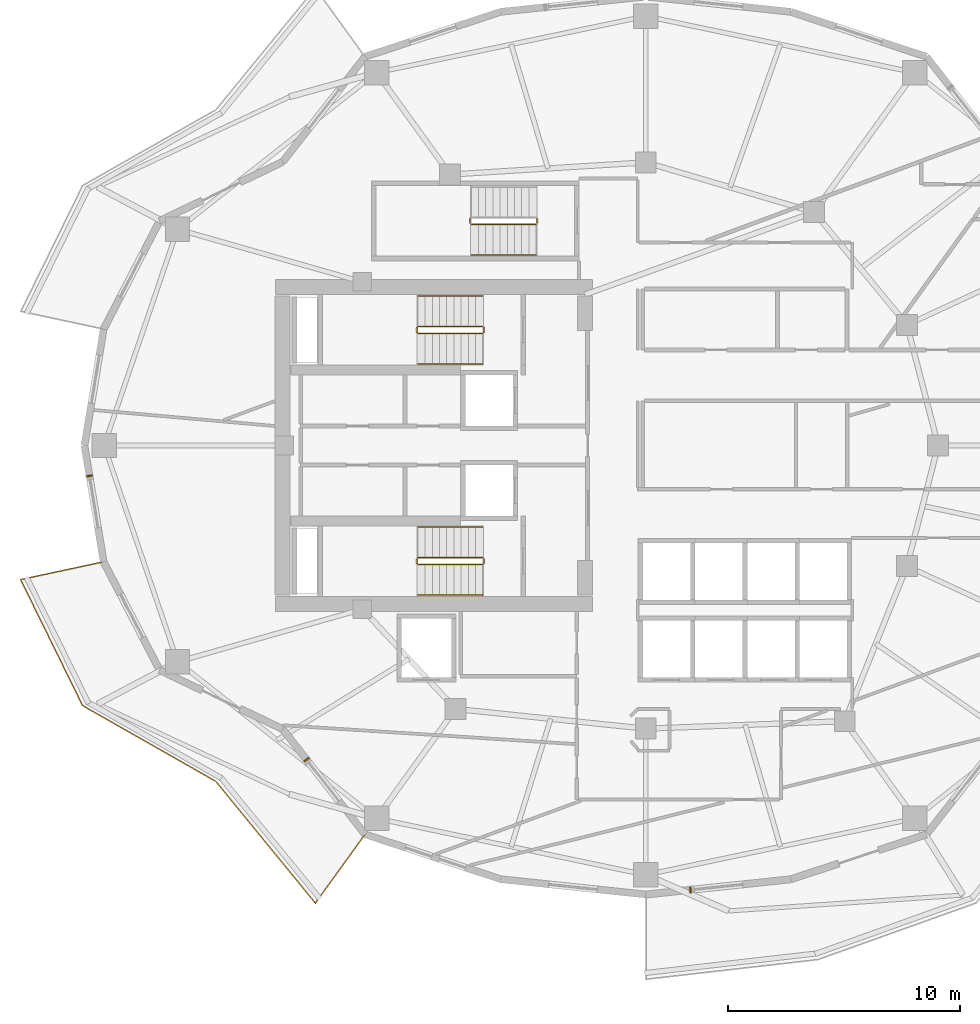
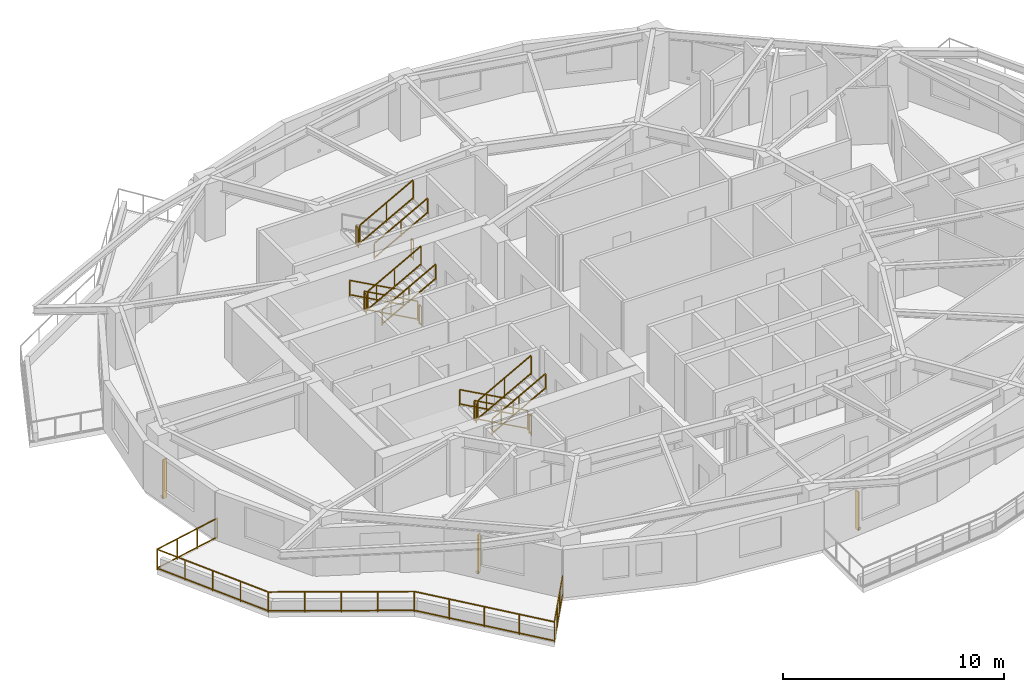
# One storey, part 11 of 14: 17 railings, 3 shading devices.
"""IFC4 building model written with IfcOpenShell, lengths in metres."""

from ifc_helpers import new_model, si_unit, direction, frame, origin, origin_2d, place, context, subcontext, project, spatial, rectangle, extrude, material, type_object, element, save


model = new_model("IFC4")

# Units and contexts
model_context = context("Model", 3, precision=1e-05, world=origin(), true_north=direction((0.0, 1.0)))
body_context = subcontext(model_context, "Body", "Model", "MODEL_VIEW")
ifc_project = project(units=[si_unit("LENGTHUNIT", "METRE"), si_unit("AREAUNIT", "SQUARE_METRE"), si_unit("VOLUMEUNIT", "CUBIC_METRE"), si_unit("PLANEANGLEUNIT", "RADIAN"), si_unit("MASSUNIT", "GRAM", prefix="KILO")], contexts=[model_context])

# Site, building, storey
site_placement = place(None, origin())
site = spatial("IfcSite", under=ifc_project, at=site_placement, CompositionType="ELEMENT")
building_placement = place(site_placement, origin())
building = spatial("IfcBuilding", under=site, at=building_placement, Name="Kolvaren Gate Tower and Convention Centre", CompositionType="ELEMENT")
storey_placement = place(building_placement, frame((0.0, 0.0, 132.5)))
storey = spatial("IfcBuildingStorey", under=building, at=storey_placement, Name="L33", CompositionType="ELEMENT", Elevation=132.5)

# Railings
ifc_material_1 = material(Name="Brushed Stainless Steel Grade 316L", Category="steel")
railing_type_1 = type_object("IfcRailingType", Name="ARCH-RL-GUARD-1150", PredefinedType="GUARDRAIL", material=ifc_material_1)
railing_1_placement = place(storey_placement, frame((23.10009765625, 32.1298828125, 0.169921875)))
element("IfcRailing", 1, at=railing_1_placement, inside=storey, type_object=railing_type_1, Name="L33 ST-T1 stair guard 1", PredefinedType="GUARDRAIL", context=body_context, shape_type="SweptSolid", body=[
    extrude(rectangle(XDim=0.048095703125, YDim=0.048095703125, at=origin_2d()), frame((0.0, 0.0, 1.076171875), z_axis=(-0.876811365212, 0.0, 0.480834513982), x_axis=(0.0, -1.0, 0.0)), (0.0, 0.0, 1.0), 3.18212890625),
    extrude(rectangle(XDim=0.048095703125, YDim=0.048095703125, at=origin_2d()), frame((0.0, 0.0, 0.083984375), z_axis=(-0.876811365212, 0.0, 0.480834513982), x_axis=(0.0, -1.0, 0.0)), (0.0, 0.0, 1.0), 3.18212890625),
    extrude(rectangle(XDim=0.0419921875, YDim=0.0419921875, at=origin_2d()), origin(), (0.0, 0.0, 1.0), 1.050048828125),
    extrude(rectangle(XDim=0.0419921875, YDim=0.0419921875, at=origin_2d()), frame((-2.7900390625, 0.0, 1.530029296875)), (0.0, 0.0, 1.0), 1.050048828125),
    extrude(rectangle(XDim=0.0419921875, YDim=0.0419921875, at=origin_2d()), frame((-1.39501953125, 0.0, 0.76513671875)), (0.0, 0.0, 1.0), 1.050048828125),
])
railing_2_placement = place(storey_placement, frame((20.260009765625, 32.080078125, 1.699951171875)))
element("IfcRailing", 2, at=railing_2_placement, inside=storey, type_object=railing_type_1, Name="L33 ST-T1 stair guard 2", PredefinedType="GUARDRAIL", context=body_context, shape_type="SweptSolid", body=[
    extrude(rectangle(XDim=0.048095703125, YDim=0.048095703125, at=origin_2d()), frame((0.0, 0.0, 1.076171875), z_axis=(0.0, -1.0, 0.0), x_axis=(1.0, 0.0, 0.0)), (0.0, 0.0, 1.0), 0.2001953125),
    extrude(rectangle(XDim=0.048095703125, YDim=0.048095703125, at=origin_2d()), frame((0.0, 0.0, 0.083984375), z_axis=(0.0, -1.0, 0.0), x_axis=(1.0, 0.0, 0.0)), (0.0, 0.0, 1.0), 0.2001953125),
    extrude(rectangle(XDim=0.0419921875, YDim=0.0419921875, at=origin_2d()), origin(), (0.0, 0.0, 1.0), 1.050048828125),
    extrude(rectangle(XDim=0.0419921875, YDim=0.0419921875, at=origin_2d()), frame((0.0, -0.2001953125, 0.0)), (0.0, 0.0, 1.0), 1.050048828125),
])
railing_3_placement = place(storey_placement, frame((20.31005859375, 31.830078125, 1.8701171875)))
element("IfcRailing", 3, at=railing_3_placement, inside=storey, type_object=railing_type_1, Name="L33 ST-T1 stair guard 3", PredefinedType="GUARDRAIL", context=body_context, shape_type="SweptSolid", body=[
    extrude(rectangle(XDim=0.048095703125, YDim=0.048095703125, at=origin_2d()), frame((0.0, 0.0, 1.076171875), z_axis=(0.876843711699, 0.0, 0.480775524808), x_axis=(0.0, 1.0, 0.0)), (0.0, 0.0, 1.0), 3.181884765625),
    extrude(rectangle(XDim=0.048095703125, YDim=0.048095703125, at=origin_2d()), frame((0.0, 0.0, 0.083984375), z_axis=(0.876843711699, 0.0, 0.480775524808), x_axis=(0.0, 1.0, 0.0)), (0.0, 0.0, 1.0), 3.181884765625),
    extrude(rectangle(XDim=0.0419921875, YDim=0.0419921875, at=origin_2d()), origin(), (0.0, 0.0, 1.0), 1.050048828125),
    extrude(rectangle(XDim=0.0419921875, YDim=0.0419921875, at=origin_2d()), frame((2.7900390625, 0.0, 1.52978515625)), (0.0, 0.0, 1.0), 1.050048828125),
    extrude(rectangle(XDim=0.0419921875, YDim=0.0419921875, at=origin_2d()), frame((1.39501953125, 0.0, 0.764892578125)), (0.0, 0.0, 1.0), 1.050048828125),
])
railing_4_placement = place(storey_placement, frame((23.14990234375, 32.080078125, 0.0)))
element("IfcRailing", 4, at=railing_4_placement, inside=storey, type_object=railing_type_1, Name="L33 ST-T1 stair guard 4", PredefinedType="GUARDRAIL", context=body_context, shape_type="SweptSolid", body=[
    extrude(rectangle(XDim=0.048095703125, YDim=0.048095703125, at=origin_2d()), frame((0.0, 0.0, 1.076171875), z_axis=(0.0, -1.0, 0.0), x_axis=(1.0, 0.0, 0.0)), (0.0, 0.0, 1.0), 0.2001953125),
    extrude(rectangle(XDim=0.048095703125, YDim=0.048095703125, at=origin_2d()), frame((0.0, 0.0, 0.083984375), z_axis=(0.0, -1.0, 0.0), x_axis=(1.0, 0.0, 0.0)), (0.0, 0.0, 1.0), 0.2001953125),
    extrude(rectangle(XDim=0.0419921875, YDim=0.0419921875, at=origin_2d()), origin(), (0.0, 0.0, 1.0), 1.050048828125),
    extrude(rectangle(XDim=0.0419921875, YDim=0.0419921875, at=origin_2d()), frame((0.0, -0.2001953125, 0.0)), (0.0, 0.0, 1.0), 1.050048828125),
])
railing_5_placement = place(storey_placement, frame((23.10009765625, 22.169921875, 0.169921875)))
element("IfcRailing", 5, at=railing_5_placement, inside=storey, type_object=railing_type_1, Name="L33 ST-T2 stair guard 1", PredefinedType="GUARDRAIL", context=body_context, shape_type="SweptSolid", body=[
    extrude(rectangle(XDim=0.048095703125, YDim=0.048095703125, at=origin_2d()), frame((0.0, 0.0, 1.076171875), z_axis=(-0.876811365212, 0.0, 0.480834513982), x_axis=(0.0, -1.0, 0.0)), (0.0, 0.0, 1.0), 3.18212890625),
    extrude(rectangle(XDim=0.048095703125, YDim=0.048095703125, at=origin_2d()), frame((0.0, 0.0, 0.083984375), z_axis=(-0.876811365212, 0.0, 0.480834513982), x_axis=(0.0, -1.0, 0.0)), (0.0, 0.0, 1.0), 3.18212890625),
    extrude(rectangle(XDim=0.0419921875, YDim=0.0419921875, at=origin_2d()), origin(), (0.0, 0.0, 1.0), 1.050048828125),
    extrude(rectangle(XDim=0.0419921875, YDim=0.0419921875, at=origin_2d()), frame((-2.7900390625, 0.0, 1.530029296875)), (0.0, 0.0, 1.0), 1.050048828125),
    extrude(rectangle(XDim=0.0419921875, YDim=0.0419921875, at=origin_2d()), frame((-1.39501953125, 0.0, 0.76513671875)), (0.0, 0.0, 1.0), 1.050048828125),
])
railing_6_placement = place(storey_placement, frame((20.260009765625, 22.1201171875, 1.699951171875)))
element("IfcRailing", 6, at=railing_6_placement, inside=storey, type_object=railing_type_1, Name="L33 ST-T2 stair guard 2", PredefinedType="GUARDRAIL", context=body_context, shape_type="SweptSolid", body=[
    extrude(rectangle(XDim=0.048095703125, YDim=0.048095703125, at=origin_2d()), frame((0.0, 0.0, 1.076171875), z_axis=(0.0, -1.0, 0.0), x_axis=(1.0, 0.0, 0.0)), (0.0, 0.0, 1.0), 0.2001953125),
    extrude(rectangle(XDim=0.048095703125, YDim=0.048095703125, at=origin_2d()), frame((0.0, 0.0, 0.083984375), z_axis=(0.0, -1.0, 0.0), x_axis=(1.0, 0.0, 0.0)), (0.0, 0.0, 1.0), 0.2001953125),
    extrude(rectangle(XDim=0.0419921875, YDim=0.0419921875, at=origin_2d()), origin(), (0.0, 0.0, 1.0), 1.050048828125),
    extrude(rectangle(XDim=0.0419921875, YDim=0.0419921875, at=origin_2d()), frame((0.0, -0.2001953125, 0.0)), (0.0, 0.0, 1.0), 1.050048828125),
])
railing_7_placement = place(storey_placement, frame((20.31005859375, 21.8701171875, 1.8701171875)))
element("IfcRailing", 7, at=railing_7_placement, inside=storey, type_object=railing_type_1, Name="L33 ST-T2 stair guard 3", PredefinedType="GUARDRAIL", context=body_context, shape_type="SweptSolid", body=[
    extrude(rectangle(XDim=0.048095703125, YDim=0.048095703125, at=origin_2d()), frame((0.0, 0.0, 1.076171875), z_axis=(0.876843711699, 0.0, 0.480775524808), x_axis=(0.0, 1.0, 0.0)), (0.0, 0.0, 1.0), 3.181884765625),
    extrude(rectangle(XDim=0.048095703125, YDim=0.048095703125, at=origin_2d()), frame((0.0, 0.0, 0.083984375), z_axis=(0.876843711699, 0.0, 0.480775524808), x_axis=(0.0, 1.0, 0.0)), (0.0, 0.0, 1.0), 3.181884765625),
    extrude(rectangle(XDim=0.0419921875, YDim=0.0419921875, at=origin_2d()), origin(), (0.0, 0.0, 1.0), 1.050048828125),
    extrude(rectangle(XDim=0.0419921875, YDim=0.0419921875, at=origin_2d()), frame((2.7900390625, 0.0, 1.52978515625)), (0.0, 0.0, 1.0), 1.050048828125),
    extrude(rectangle(XDim=0.0419921875, YDim=0.0419921875, at=origin_2d()), frame((1.39501953125, 0.0, 0.764892578125)), (0.0, 0.0, 1.0), 1.050048828125),
])
railing_8_placement = place(storey_placement, frame((23.14990234375, 22.1201171875, 0.0)))
element("IfcRailing", 8, at=railing_8_placement, inside=storey, type_object=railing_type_1, Name="L33 ST-T2 stair guard 4", PredefinedType="GUARDRAIL", context=body_context, shape_type="SweptSolid", body=[
    extrude(rectangle(XDim=0.048095703125, YDim=0.048095703125, at=origin_2d()), frame((0.0, 0.0, 1.076171875), z_axis=(0.0, -1.0, 0.0), x_axis=(1.0, 0.0, 0.0)), (0.0, 0.0, 1.0), 0.2001953125),
    extrude(rectangle(XDim=0.048095703125, YDim=0.048095703125, at=origin_2d()), frame((0.0, 0.0, 0.083984375), z_axis=(0.0, -1.0, 0.0), x_axis=(1.0, 0.0, 0.0)), (0.0, 0.0, 1.0), 0.2001953125),
    extrude(rectangle(XDim=0.0419921875, YDim=0.0419921875, at=origin_2d()), origin(), (0.0, 0.0, 1.0), 1.050048828125),
    extrude(rectangle(XDim=0.0419921875, YDim=0.0419921875, at=origin_2d()), frame((0.0, -0.2001953125, 0.0)), (0.0, 0.0, 1.0), 1.050048828125),
])
railing_9_placement = place(storey_placement, frame((22.56005859375, 36.780029296875, 1.699951171875)))
element("IfcRailing", 9, at=railing_9_placement, inside=storey, type_object=railing_type_1, Name="L33 ST-T3 stair guard 2", PredefinedType="GUARDRAIL", context=body_context, shape_type="SweptSolid", body=[
    extrude(rectangle(XDim=0.048095703125, YDim=0.048095703125, at=origin_2d()), frame((0.0, 0.0, 1.076171875), z_axis=(0.0, -1.0, 0.0), x_axis=(1.0, 0.0, 0.0)), (0.0, 0.0, 1.0), 0.199951171875),
    extrude(rectangle(XDim=0.048095703125, YDim=0.048095703125, at=origin_2d()), frame((0.0, 0.0, 0.083984375), z_axis=(0.0, -1.0, 0.0), x_axis=(1.0, 0.0, 0.0)), (0.0, 0.0, 1.0), 0.199951171875),
    extrude(rectangle(XDim=0.0419921875, YDim=0.0419921875, at=origin_2d()), origin(), (0.0, 0.0, 1.0), 1.050048828125),
    extrude(rectangle(XDim=0.0419921875, YDim=0.0419921875, at=origin_2d()), frame((0.0, -0.199951171875, 0.0)), (0.0, 0.0, 1.0), 1.050048828125),
])
railing_10_placement = place(storey_placement, frame((22.610107421875, 36.530029296875, 1.8701171875)))
element("IfcRailing", 10, at=railing_10_placement, inside=storey, type_object=railing_type_1, Name="L33 ST-T3 stair guard 3", PredefinedType="GUARDRAIL", context=body_context, shape_type="SweptSolid", body=[
    extrude(rectangle(XDim=0.048095703125, YDim=0.048095703125, at=origin_2d()), frame((0.0, 0.0, 1.076171875), z_axis=(0.876825974686, 0.0, 0.480807872353), x_axis=(0.0, 1.0, 0.0)), (0.0, 0.0, 1.0), 3.181640625),
    extrude(rectangle(XDim=0.048095703125, YDim=0.048095703125, at=origin_2d()), frame((0.0, 0.0, 0.083984375), z_axis=(0.876825974686, 0.0, 0.480807872353), x_axis=(0.0, 1.0, 0.0)), (0.0, 0.0, 1.0), 3.181640625),
    extrude(rectangle(XDim=0.0419921875, YDim=0.0419921875, at=origin_2d()), origin(), (0.0, 0.0, 1.0), 1.050048828125),
    extrude(rectangle(XDim=0.0419921875, YDim=0.0419921875, at=origin_2d()), frame((2.789794921875, 0.0, 1.52978515625)), (0.0, 0.0, 1.0), 1.050048828125),
    extrude(rectangle(XDim=0.0419921875, YDim=0.0419921875, at=origin_2d()), frame((1.39501953125, 0.0, 0.764892578125)), (0.0, 0.0, 1.0), 1.050048828125),
])
railing_11_placement = place(storey_placement, frame((25.449951171875, 36.780029296875, 0.0)))
element("IfcRailing", 11, at=railing_11_placement, inside=storey, type_object=railing_type_1, Name="L33 ST-T3 stair guard 4", PredefinedType="GUARDRAIL", context=body_context, shape_type="SweptSolid", body=[
    extrude(rectangle(XDim=0.048095703125, YDim=0.048095703125, at=origin_2d()), frame((0.0, 0.0, 1.076171875), z_axis=(0.0, -1.0, 0.0), x_axis=(1.0, 0.0, 0.0)), (0.0, 0.0, 1.0), 0.199951171875),
    extrude(rectangle(XDim=0.048095703125, YDim=0.048095703125, at=origin_2d()), frame((0.0, 0.0, 0.083984375), z_axis=(0.0, -1.0, 0.0), x_axis=(1.0, 0.0, 0.0)), (0.0, 0.0, 1.0), 0.199951171875),
    extrude(rectangle(XDim=0.0419921875, YDim=0.0419921875, at=origin_2d()), origin(), (0.0, 0.0, 1.0), 1.050048828125),
    extrude(rectangle(XDim=0.0419921875, YDim=0.0419921875, at=origin_2d()), frame((0.0, -0.199951171875, 0.0)), (0.0, 0.0, 1.0), 1.050048828125),
])
railing_12_placement = place(storey_placement, frame((6.76171875, 21.991943359375, 0.0)))
element("IfcRailing", 12, at=railing_12_placement, inside=storey, type_object=railing_type_1, Name="Tower L33 Terrace Perimeter Guardrail GR-2", PredefinedType="GUARDRAIL", context=body_context, shape_type="SweptSolid", body=[
    extrude(rectangle(XDim=0.048095703125, YDim=0.048095703125, at=origin_2d()), frame((-0.02734375, -0.005859375, 1.1259765625), z_axis=(-0.977788745232, -0.209592866525, 0.0), x_axis=(0.209592866525, -0.977788745232, 0.0)), (0.0, 0.0, 1.0), 3.603759765625),
    extrude(rectangle(XDim=0.048095703125, YDim=0.048095703125, at=origin_2d()), frame((-0.02734375, -0.005859375, 0.083984375), z_axis=(-0.977788745232, -0.209592866525, 0.0), x_axis=(0.209592866525, -0.977788745232, 0.0)), (0.0, 0.0, 1.0), 3.603759765625),
    extrude(rectangle(XDim=0.048095703125, YDim=0.048095703125, at=origin_2d()), frame((-3.566162109375, -0.792236328125, 1.1259765625), z_axis=(0.441237167293, -0.897390529368, 0.0), x_axis=(0.897390529368, 0.441237167293, 0.0)), (0.0, 0.0, 1.0), 5.999755859375),
    extrude(rectangle(XDim=0.048095703125, YDim=0.048095703125, at=origin_2d()), frame((-3.566162109375, -0.792236328125, 0.083984375), z_axis=(0.441237167293, -0.897390529368, 0.0), x_axis=(0.897390529368, 0.441237167293, 0.0)), (0.0, 0.0, 1.0), 5.999755859375),
    extrude(rectangle(XDim=0.048095703125, YDim=0.048095703125, at=origin_2d()), frame((-0.882080078125, -6.215576171875, 1.1259765625), z_axis=(0.869196694318, -0.494466486819, 0.0), x_axis=(0.494466486819, 0.869196694318, 0.0)), (0.0, 0.0, 1.0), 6.55029296875),
    extrude(rectangle(XDim=0.048095703125, YDim=0.048095703125, at=origin_2d()), frame((-0.882080078125, -6.215576171875, 0.083984375), z_axis=(0.869196694318, -0.494466486819, 0.0), x_axis=(0.494466486819, 0.869196694318, 0.0)), (0.0, 0.0, 1.0), 6.55029296875),
    extrude(rectangle(XDim=0.048095703125, YDim=0.048095703125, at=origin_2d()), frame((4.853515625, -9.489990234375, 1.1259765625), z_axis=(0.633002467947, -0.77414977593, 0.0), x_axis=(0.77414977593, 0.633002467947, 0.0)), (0.0, 0.0, 1.0), 6.724365234375),
    extrude(rectangle(XDim=0.048095703125, YDim=0.048095703125, at=origin_2d()), frame((4.853515625, -9.489990234375, 0.083984375), z_axis=(0.633002467947, -0.77414977593, 0.0), x_axis=(0.77414977593, 0.633002467947, 0.0)), (0.0, 0.0, 1.0), 6.724365234375),
    extrude(rectangle(XDim=0.048095703125, YDim=0.048095703125, at=origin_2d()), frame((9.14404296875, -14.694580078125, 1.1259765625), z_axis=(0.585212870465, 0.810879705161, 0.0), x_axis=(-0.810879705161, 0.585212870465, 0.0)), (0.0, 0.0, 1.0), 3.603759765625),
    extrude(rectangle(XDim=0.048095703125, YDim=0.048095703125, at=origin_2d()), frame((9.14404296875, -14.694580078125, 0.083984375), z_axis=(0.585212870465, 0.810879705161, 0.0), x_axis=(-0.810879705161, 0.585212870465, 0.0)), (0.0, 0.0, 1.0), 3.603759765625),
    extrude(rectangle(XDim=0.0419921875, YDim=0.0419921875, at=origin_2d()), origin(), (0.0, 0.0, 1.0), 1.14990234375),
    extrude(rectangle(XDim=0.0419921875, YDim=0.0419921875, at=origin_2d()), frame((-3.57861328125, -0.76708984375, 0.0)), (0.0, 0.0, 1.0), 1.14990234375),
    extrude(rectangle(XDim=0.0419921875, YDim=0.0419921875, at=origin_2d()), frame((-1.19287109375, -0.255615234375, 0.0)), (0.0, 0.0, 1.0), 1.099853515625),
    extrude(rectangle(XDim=0.0419921875, YDim=0.0419921875, at=origin_2d()), frame((-2.3857421875, -0.511474609375, 0.0)), (0.0, 0.0, 1.0), 1.099853515625),
    extrude(rectangle(XDim=0.0419921875, YDim=0.0419921875, at=origin_2d()), frame((-0.906494140625, -6.20166015625, 0.0)), (0.0, 0.0, 1.0), 1.14990234375),
    extrude(rectangle(XDim=0.0419921875, YDim=0.0419921875, at=origin_2d()), frame((-2.91064453125, -2.125732421875, 0.0)), (0.0, 0.0, 1.0), 1.099853515625),
    extrude(rectangle(XDim=0.0419921875, YDim=0.0419921875, at=origin_2d()), frame((-2.24267578125, -3.484375, 0.0)), (0.0, 0.0, 1.0), 1.099853515625),
    extrude(rectangle(XDim=0.0419921875, YDim=0.0419921875, at=origin_2d()), frame((-1.574462890625, -4.843017578125, 0.0)), (0.0, 0.0, 1.0), 1.099853515625),
    extrude(rectangle(XDim=0.0419921875, YDim=0.0419921875, at=origin_2d()), frame((4.835693359375, -9.46826171875, 0.0)), (0.0, 0.0, 1.0), 1.14990234375),
    extrude(rectangle(XDim=0.0419921875, YDim=0.0419921875, at=origin_2d()), frame((0.529052734375, -7.018310546875, 0.0)), (0.0, 0.0, 1.0), 1.099853515625),
    extrude(rectangle(XDim=0.0419921875, YDim=0.0419921875, at=origin_2d()), frame((1.964599609375, -7.8349609375, 0.0)), (0.0, 0.0, 1.0), 1.099853515625),
    extrude(rectangle(XDim=0.0419921875, YDim=0.0419921875, at=origin_2d()), frame((3.400146484375, -8.651611328125, 0.0)), (0.0, 0.0, 1.0), 1.099853515625),
    extrude(rectangle(XDim=0.0419921875, YDim=0.0419921875, at=origin_2d()), frame((9.127685546875, -14.71728515625, 0.0)), (0.0, 0.0, 1.0), 1.14990234375),
    extrude(rectangle(XDim=0.0419921875, YDim=0.0419921875, at=origin_2d()), frame((5.90869140625, -10.780517578125, 0.0)), (0.0, 0.0, 1.0), 1.099853515625),
    extrude(rectangle(XDim=0.0419921875, YDim=0.0419921875, at=origin_2d()), frame((6.981689453125, -12.0927734375, 0.0)), (0.0, 0.0, 1.0), 1.099853515625),
    extrude(rectangle(XDim=0.0419921875, YDim=0.0419921875, at=origin_2d()), frame((8.0546875, -13.405029296875, 0.0)), (0.0, 0.0, 1.0), 1.099853515625),
    extrude(rectangle(XDim=0.0419921875, YDim=0.0419921875, at=origin_2d()), frame((11.26953125, -11.74951171875, 0.0)), (0.0, 0.0, 1.0), 1.14990234375),
    extrude(rectangle(XDim=0.0419921875, YDim=0.0419921875, at=origin_2d()), frame((9.841552734375, -13.72802734375, 0.0)), (0.0, 0.0, 1.0), 1.099853515625),
    extrude(rectangle(XDim=0.0419921875, YDim=0.0419921875, at=origin_2d()), frame((10.5556640625, -12.73876953125, 0.0)), (0.0, 0.0, 1.0), 1.099853515625),
])
railing_type_2 = type_object("IfcRailingType", Name="ARCH-RL-HANDRAIL-920", PredefinedType="HANDRAIL", material=ifc_material_1)
railing_13_placement = place(storey_placement, frame((23.10009765625, 33.449951171875, 0.169921875)))
element("IfcRailing", 13, at=railing_13_placement, inside=storey, type_object=railing_type_2, Name="L33 ST-T1 stair handrail 1", PredefinedType="HANDRAIL", context=body_context, shape_type="SweptSolid", body=[
    extrude(rectangle(XDim=0.048095703125, YDim=0.048095703125, at=origin_2d()), frame((0.0, 0.0, 0.8759765625), z_axis=(-0.876811365212, 0.0, 0.480834513982), x_axis=(0.0, -1.0, 0.0)), (0.0, 0.0, 1.0), 3.18212890625),
    extrude(rectangle(XDim=0.048095703125, YDim=0.048095703125, at=origin_2d()), frame((0.0, 0.0, 0.083984375), z_axis=(-0.876811365212, 0.0, 0.480834513982), x_axis=(0.0, -1.0, 0.0)), (0.0, 0.0, 1.0), 3.18212890625),
    extrude(rectangle(XDim=0.0419921875, YDim=0.0419921875, at=origin_2d()), origin(), (0.0, 0.0, 1.0), 0.849853515625),
    extrude(rectangle(XDim=0.0419921875, YDim=0.0419921875, at=origin_2d()), frame((-2.7900390625, 0.0, 1.530029296875)), (0.0, 0.0, 1.0), 0.849853515625),
    extrude(rectangle(XDim=0.0419921875, YDim=0.0419921875, at=origin_2d()), frame((-1.39501953125, 0.0, 0.76513671875)), (0.0, 0.0, 1.0), 0.849853515625),
])
railing_14_placement = place(storey_placement, frame((20.31005859375, 30.510009765625, 1.8701171875)))
element("IfcRailing", 14, at=railing_14_placement, inside=storey, type_object=railing_type_2, Name="L33 ST-T1 stair handrail 2", PredefinedType="HANDRAIL", context=body_context, shape_type="SweptSolid", body=[
    extrude(rectangle(XDim=0.048095703125, YDim=0.048095703125, at=origin_2d()), frame((0.0, 0.0, 0.8759765625), z_axis=(0.876843711699, 0.0, 0.480775524808), x_axis=(0.0, 1.0, 0.0)), (0.0, 0.0, 1.0), 3.181884765625),
    extrude(rectangle(XDim=0.048095703125, YDim=0.048095703125, at=origin_2d()), frame((0.0, 0.0, 0.083984375), z_axis=(0.876843711699, 0.0, 0.480775524808), x_axis=(0.0, 1.0, 0.0)), (0.0, 0.0, 1.0), 3.181884765625),
    extrude(rectangle(XDim=0.0419921875, YDim=0.0419921875, at=origin_2d()), origin(), (0.0, 0.0, 1.0), 0.849853515625),
    extrude(rectangle(XDim=0.0419921875, YDim=0.0419921875, at=origin_2d()), frame((2.7900390625, 0.0, 1.52978515625)), (0.0, 0.0, 1.0), 0.849853515625),
    extrude(rectangle(XDim=0.0419921875, YDim=0.0419921875, at=origin_2d()), frame((1.39501953125, 0.0, 0.764892578125)), (0.0, 0.0, 1.0), 0.849853515625),
])
railing_15_placement = place(storey_placement, frame((23.10009765625, 23.489990234375, 0.169921875)))
element("IfcRailing", 15, at=railing_15_placement, inside=storey, type_object=railing_type_2, Name="L33 ST-T2 stair handrail 1", PredefinedType="HANDRAIL", context=body_context, shape_type="SweptSolid", body=[
    extrude(rectangle(XDim=0.048095703125, YDim=0.048095703125, at=origin_2d()), frame((0.0, 0.0, 0.8759765625), z_axis=(-0.876811365212, 0.0, 0.480834513982), x_axis=(0.0, -1.0, 0.0)), (0.0, 0.0, 1.0), 3.18212890625),
    extrude(rectangle(XDim=0.048095703125, YDim=0.048095703125, at=origin_2d()), frame((0.0, 0.0, 0.083984375), z_axis=(-0.876811365212, 0.0, 0.480834513982), x_axis=(0.0, -1.0, 0.0)), (0.0, 0.0, 1.0), 3.18212890625),
    extrude(rectangle(XDim=0.0419921875, YDim=0.0419921875, at=origin_2d()), origin(), (0.0, 0.0, 1.0), 0.849853515625),
    extrude(rectangle(XDim=0.0419921875, YDim=0.0419921875, at=origin_2d()), frame((-2.7900390625, 0.0, 1.530029296875)), (0.0, 0.0, 1.0), 0.849853515625),
    extrude(rectangle(XDim=0.0419921875, YDim=0.0419921875, at=origin_2d()), frame((-1.39501953125, 0.0, 0.76513671875)), (0.0, 0.0, 1.0), 0.849853515625),
])
railing_16_placement = place(storey_placement, frame((20.31005859375, 20.550048828125, 1.8701171875)))
element("IfcRailing", 16, at=railing_16_placement, inside=storey, type_object=railing_type_2, Name="L33 ST-T2 stair handrail 2", PredefinedType="HANDRAIL", context=body_context, shape_type="SweptSolid", body=[
    extrude(rectangle(XDim=0.048095703125, YDim=0.048095703125, at=origin_2d()), frame((0.0, 0.0, 0.8759765625), z_axis=(0.876843711699, 0.0, 0.480775524808), x_axis=(0.0, 1.0, 0.0)), (0.0, 0.0, 1.0), 3.181884765625),
    extrude(rectangle(XDim=0.048095703125, YDim=0.048095703125, at=origin_2d()), frame((0.0, 0.0, 0.083984375), z_axis=(0.876843711699, 0.0, 0.480775524808), x_axis=(0.0, 1.0, 0.0)), (0.0, 0.0, 1.0), 3.181884765625),
    extrude(rectangle(XDim=0.0419921875, YDim=0.0419921875, at=origin_2d()), origin(), (0.0, 0.0, 1.0), 0.849853515625),
    extrude(rectangle(XDim=0.0419921875, YDim=0.0419921875, at=origin_2d()), frame((2.7900390625, 0.0, 1.52978515625)), (0.0, 0.0, 1.0), 0.849853515625),
    extrude(rectangle(XDim=0.0419921875, YDim=0.0419921875, at=origin_2d()), frame((1.39501953125, 0.0, 0.764892578125)), (0.0, 0.0, 1.0), 0.849853515625),
])
railing_17_placement = place(storey_placement, frame((22.610107421875, 35.2099609375, 1.8701171875)))
element("IfcRailing", 17, at=railing_17_placement, inside=storey, type_object=railing_type_2, Name="L33 ST-T3 stair handrail 2", PredefinedType="HANDRAIL", context=body_context, shape_type="SweptSolid", body=[
    extrude(rectangle(XDim=0.048095703125, YDim=0.048095703125, at=origin_2d()), frame((0.0, 0.0, 0.8759765625), z_axis=(0.876825974686, 0.0, 0.480807872353), x_axis=(0.0, 1.0, 0.0)), (0.0, 0.0, 1.0), 3.181640625),
    extrude(rectangle(XDim=0.048095703125, YDim=0.048095703125, at=origin_2d()), frame((0.0, 0.0, 0.083984375), z_axis=(0.876825974686, 0.0, 0.480807872353), x_axis=(0.0, 1.0, 0.0)), (0.0, 0.0, 1.0), 3.181640625),
    extrude(rectangle(XDim=0.0419921875, YDim=0.0419921875, at=origin_2d()), origin(), (0.0, 0.0, 1.0), 0.849853515625),
    extrude(rectangle(XDim=0.0419921875, YDim=0.0419921875, at=origin_2d()), frame((2.789794921875, 0.0, 1.52978515625)), (0.0, 0.0, 1.0), 0.849853515625),
    extrude(rectangle(XDim=0.0419921875, YDim=0.0419921875, at=origin_2d()), frame((1.39501953125, 0.0, 0.764892578125)), (0.0, 0.0, 1.0), 0.849853515625),
])

# Shading devices
ifc_material_2 = material(Name="Kiln-Fired Bogota Terracotta Ceramic Louvre Profile", Category="masonry")
shading_device_type = type_object("IfcShadingDeviceType", Name="ARCH-SHD-FIN-180", PredefinedType="JALOUSIE", material=ifc_material_2)
for number, where, z_axis, x_axis, name in (
    (18, (6.1533203125, 25.689697265625, 0.219970703125), (0.0, 0.0, 1.0), (0.162389178836, -0.986726788223, 0.0), "Ceramic Vertical Brise-Soleil Fin FN-L33-12"),
    (19, (15.510009765625, 13.462890625, 0.219970703125), (0.0, 0.0, 1.0), (0.616424499081, -0.787414018756, 0.0), "Ceramic Vertical Brise-Soleil Fin FN-L33-15"),
    (20, (32.05126953125, 7.852783203125, 0.219970703125), (0.0, 0.0, 1.0), (0.994499981166, 0.104736753152, 0.0), "Ceramic Vertical Brise-Soleil Fin FN-L33-18"),
):
    element("IfcShadingDevice", number, at=place(storey_placement, frame(where, z_axis=z_axis, x_axis=x_axis)), inside=storey, type_object=shading_device_type, Name=name, PredefinedType="JALOUSIE", context=body_context, shape_type="SweptSolid", body=[
        extrude(rectangle(XDim=0.06005859375, YDim=0.239990234375, at=origin_2d()), origin(), (0.0, 0.0, 1.0), 2.14990234375),
    ])

save(model, "model.ifc")
